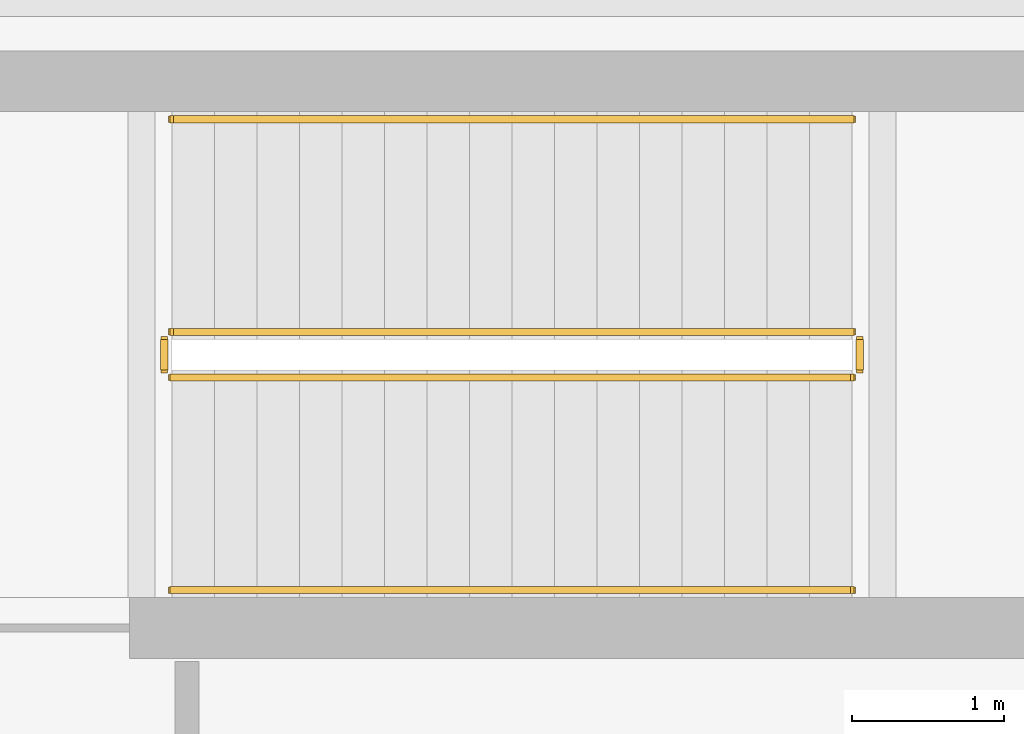
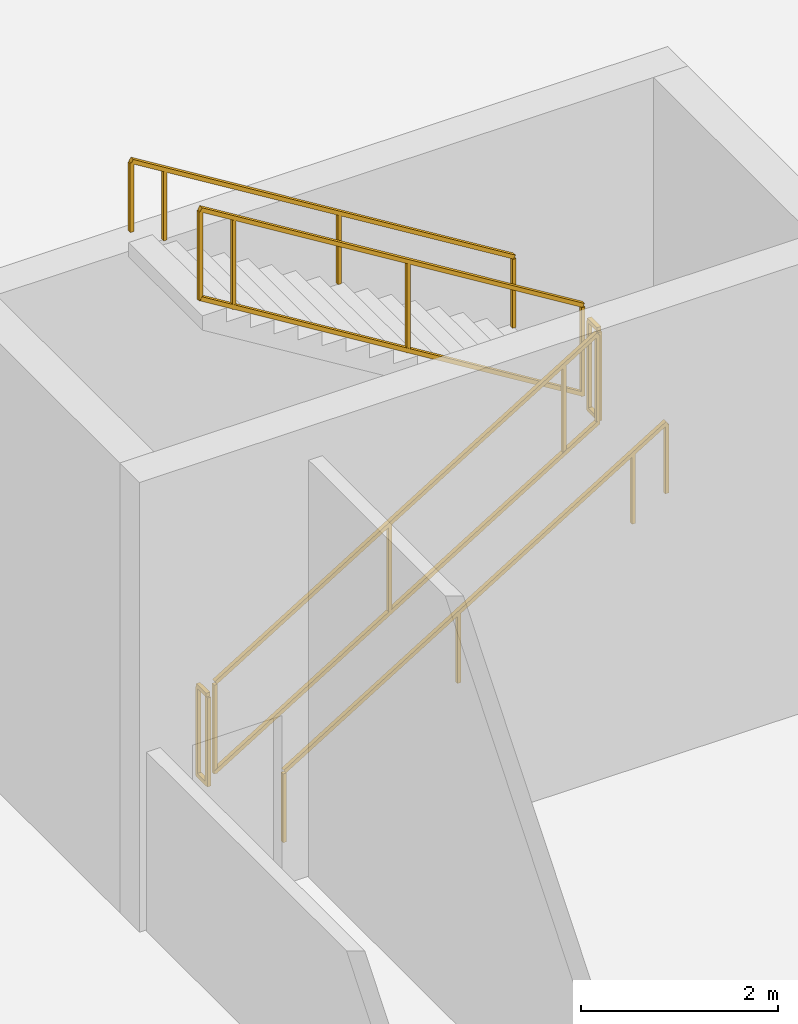
# One storey, part 35 of 36: 6 railings.
"""IFC4 building model written with IfcOpenShell, lengths in metres."""

from ifc_helpers import new_model, si_unit, direction, frame, origin, origin_2d, place, context, subcontext, project, spatial, rectangle, extrude, material, type_object, element, save


model = new_model("IFC4")

# Units and contexts
model_context = context("Model", 3, precision=1e-05, world=origin(), true_north=direction((0.0, 1.0)))
body_context = subcontext(model_context, "Body", "Model", "MODEL_VIEW")
ifc_project = project(units=[si_unit("LENGTHUNIT", "METRE"), si_unit("AREAUNIT", "SQUARE_METRE"), si_unit("VOLUMEUNIT", "CUBIC_METRE"), si_unit("PLANEANGLEUNIT", "RADIAN"), si_unit("MASSUNIT", "GRAM", prefix="KILO"), si_unit("THERMODYNAMICTEMPERATUREUNIT", "KELVIN"), si_unit("POWERUNIT", "WATT")], contexts=[model_context])

# Site, building, storey
site_placement = place(None, origin())
site = spatial("IfcSite", under=ifc_project, at=site_placement, CompositionType="ELEMENT")
building_placement = place(site_placement, origin())
building = spatial("IfcBuilding", under=site, at=building_placement, Name="Yunzhuo Pagoda Commons", CompositionType="ELEMENT")
storey_placement = place(building_placement, frame((0.0, 0.0, 119.179931640625)))
storey = spatial("IfcBuildingStorey", under=building, at=storey_placement, Name="L30", CompositionType="ELEMENT", Elevation=119.179931640625)

# Railings
ifc_material = material(Name="Anodized aluminium 6063-T6", Category="aluminium")
railing_type_1 = type_object("IfcRailingType", Name="GR-ST3 North Well Guardrail 1155", PredefinedType="GUARDRAIL", material=ifc_material)
railing_1_placement = place(storey_placement, frame((45.75, 57.64990234375, 0.172119140625)))
element("IfcRailing", 1, at=railing_1_placement, inside=storey, type_object=railing_type_1, Name="L30 ST3 stair guard 1", PredefinedType="GUARDRAIL", context=body_context, shape_type="SweptSolid", body=[
    extrude(rectangle(XDim=0.048095703125, YDim=0.048095703125, at=origin_2d()), frame((0.0, 0.0, 1.1259765625), z_axis=(0.851996104429, 0.0, 0.523548123899), x_axis=(0.0, 1.0, 0.0)), (0.0, 0.0, 1.0), 5.25830078125),
    extrude(rectangle(XDim=0.048095703125, YDim=0.048095703125, at=origin_2d()), frame((0.0, 0.0, 0.02392578125), z_axis=(0.851996104429, 0.0, 0.523548123899), x_axis=(0.0, 1.0, 0.0)), (0.0, 0.0, 1.0), 5.25830078125),
    extrude(rectangle(XDim=0.0419921875, YDim=0.0419921875, at=origin_2d()), origin(), (0.0, 0.0, 1.0), 1.101806640625),
    extrude(rectangle(XDim=0.0419921875, YDim=0.0419921875, at=origin_2d()), frame((2.044677734375, 0.0, 1.256591796875)), (0.0, 0.0, 1.0), 1.101806640625),
    extrude(rectangle(XDim=0.0419921875, YDim=0.0419921875, at=origin_2d()), frame((4.089599609375, 0.0, 2.512939453125)), (0.0, 0.0, 1.0), 1.101806640625),
    extrude(rectangle(XDim=0.0419921875, YDim=0.0419921875, at=origin_2d()), frame((4.47998046875, 0.0, 2.7529296875)), (0.0, 0.0, 1.0), 1.101806640625),
])
railing_2_placement = place(storey_placement, frame((50.280029296875, 57.699951171875, 2.925048828125)))
element("IfcRailing", 2, at=railing_2_placement, inside=storey, type_object=railing_type_1, Name="L30 ST3 stair guard 2", PredefinedType="GUARDRAIL", context=body_context, shape_type="SweptSolid", body=[
    extrude(rectangle(XDim=0.048095703125, YDim=0.048095703125, at=origin_2d()), frame((0.0, 0.0, 1.1259765625), z_axis=(0.0, 1.0, 0.0), x_axis=(-1.0, 0.0, 0.0)), (0.0, 0.0, 1.0), 0.199951171875),
    extrude(rectangle(XDim=0.048095703125, YDim=0.048095703125, at=origin_2d()), frame((0.0, 0.0, 0.02392578125), z_axis=(0.0, 1.0, 0.0), x_axis=(-1.0, 0.0, 0.0)), (0.0, 0.0, 1.0), 0.199951171875),
    extrude(rectangle(XDim=0.0419921875, YDim=0.0419921875, at=origin_2d()), origin(), (0.0, 0.0, 1.0), 1.101806640625),
    extrude(rectangle(XDim=0.0419921875, YDim=0.0419921875, at=origin_2d()), frame((0.0, 0.199951171875, 0.0)), (0.0, 0.0, 1.0), 1.101806640625),
])
railing_3_placement = place(storey_placement, frame((50.22998046875, 57.949951171875, 3.09716796875)))
element("IfcRailing", 3, at=railing_3_placement, inside=storey, type_object=railing_type_1, Name="L30 ST3 stair guard 3", PredefinedType="GUARDRAIL", context=body_context, shape_type="SweptSolid", body=[
    extrude(rectangle(XDim=0.048095703125, YDim=0.048095703125, at=origin_2d()), frame((0.0, 0.0, 1.1259765625), z_axis=(-0.851996104429, 0.0, 0.523548123899), x_axis=(0.0, -1.0, 0.0)), (0.0, 0.0, 1.0), 5.25830078125),
    extrude(rectangle(XDim=0.048095703125, YDim=0.048095703125, at=origin_2d()), frame((0.0, 0.0, 0.02392578125), z_axis=(-0.851996104429, 0.0, 0.523548123899), x_axis=(0.0, -1.0, 0.0)), (0.0, 0.0, 1.0), 5.25830078125),
    extrude(rectangle(XDim=0.0419921875, YDim=0.0419921875, at=origin_2d()), origin(), (0.0, 0.0, 1.0), 1.101806640625),
    extrude(rectangle(XDim=0.0419921875, YDim=0.0419921875, at=origin_2d()), frame((-2.044677734375, 0.0, 1.256591796875)), (0.0, 0.0, 1.0), 1.101806640625),
    extrude(rectangle(XDim=0.0419921875, YDim=0.0419921875, at=origin_2d()), frame((-4.089599609375, 0.0, 2.512939453125)), (0.0, 0.0, 1.0), 1.101806640625),
    extrude(rectangle(XDim=0.0419921875, YDim=0.0419921875, at=origin_2d()), frame((-4.47998046875, 0.0, 2.7529296875)), (0.0, 0.0, 1.0), 1.101806640625),
])
railing_4_placement = place(storey_placement, frame((45.699951171875, 57.699951171875, 0.0)))
element("IfcRailing", 4, at=railing_4_placement, inside=storey, type_object=railing_type_1, Name="L30 ST3 stair guard 4", PredefinedType="GUARDRAIL", context=body_context, shape_type="SweptSolid", body=[
    extrude(rectangle(XDim=0.048095703125, YDim=0.048095703125, at=origin_2d()), frame((0.0, 0.0, 1.1259765625), z_axis=(0.0, 1.0, 0.0), x_axis=(-1.0, 0.0, 0.0)), (0.0, 0.0, 1.0), 0.199951171875),
    extrude(rectangle(XDim=0.048095703125, YDim=0.048095703125, at=origin_2d()), frame((0.0, 0.0, 0.02392578125), z_axis=(0.0, 1.0, 0.0), x_axis=(-1.0, 0.0, 0.0)), (0.0, 0.0, 1.0), 0.199951171875),
    extrude(rectangle(XDim=0.0419921875, YDim=0.0419921875, at=origin_2d()), origin(), (0.0, 0.0, 1.0), 1.101806640625),
    extrude(rectangle(XDim=0.0419921875, YDim=0.0419921875, at=origin_2d()), frame((0.0, 0.199951171875, 0.0)), (0.0, 0.0, 1.0), 1.101806640625),
])
railing_type_2 = type_object("IfcRailingType", Name="HR-ST3 North Stair Handrail 900", PredefinedType="HANDRAIL", material=ifc_material)
railing_5_placement = place(storey_placement, frame((45.75, 56.25, 0.172119140625)))
element("IfcRailing", 5, at=railing_5_placement, inside=storey, type_object=railing_type_2, Name="L30 ST3 stair handrail 1", PredefinedType="HANDRAIL", context=body_context, shape_type="SweptSolid", body=[
    extrude(rectangle(XDim=0.048095703125, YDim=0.048095703125, at=origin_2d()), frame((0.0, 0.0, 0.8759765625), z_axis=(0.851996104429, 0.0, 0.523548123899), x_axis=(0.0, 1.0, 0.0)), (0.0, 0.0, 1.0), 5.25830078125),
    extrude(rectangle(XDim=0.0419921875, YDim=0.0419921875, at=origin_2d()), origin(), (0.0, 0.0, 1.0), 0.851806640625),
    extrude(rectangle(XDim=0.0419921875, YDim=0.0419921875, at=origin_2d()), frame((2.044677734375, 0.0, 1.256591796875)), (0.0, 0.0, 1.0), 0.851806640625),
    extrude(rectangle(XDim=0.0419921875, YDim=0.0419921875, at=origin_2d()), frame((4.089599609375, 0.0, 2.512939453125)), (0.0, 0.0, 1.0), 0.851806640625),
    extrude(rectangle(XDim=0.0419921875, YDim=0.0419921875, at=origin_2d()), frame((4.47998046875, 0.0, 2.7529296875)), (0.0, 0.0, 1.0), 0.851806640625),
])
railing_6_placement = place(storey_placement, frame((50.22998046875, 59.35009765625, 3.09716796875)))
element("IfcRailing", 6, at=railing_6_placement, inside=storey, type_object=railing_type_2, Name="L30 ST3 stair handrail 2", PredefinedType="HANDRAIL", context=body_context, shape_type="SweptSolid", body=[
    extrude(rectangle(XDim=0.048095703125, YDim=0.048095703125, at=origin_2d()), frame((0.0, 0.0, 0.8759765625), z_axis=(-0.851996104429, 0.0, 0.523548123899), x_axis=(0.0, -1.0, 0.0)), (0.0, 0.0, 1.0), 5.25830078125),
    extrude(rectangle(XDim=0.0419921875, YDim=0.0419921875, at=origin_2d()), origin(), (0.0, 0.0, 1.0), 0.851806640625),
    extrude(rectangle(XDim=0.0419921875, YDim=0.0419921875, at=origin_2d()), frame((-2.044677734375, 0.0, 1.256591796875)), (0.0, 0.0, 1.0), 0.851806640625),
    extrude(rectangle(XDim=0.0419921875, YDim=0.0419921875, at=origin_2d()), frame((-4.089599609375, 0.0, 2.512939453125)), (0.0, 0.0, 1.0), 0.851806640625),
    extrude(rectangle(XDim=0.0419921875, YDim=0.0419921875, at=origin_2d()), frame((-4.47998046875, 0.0, 2.7529296875)), (0.0, 0.0, 1.0), 0.851806640625),
])

save(model, "model.ifc")
